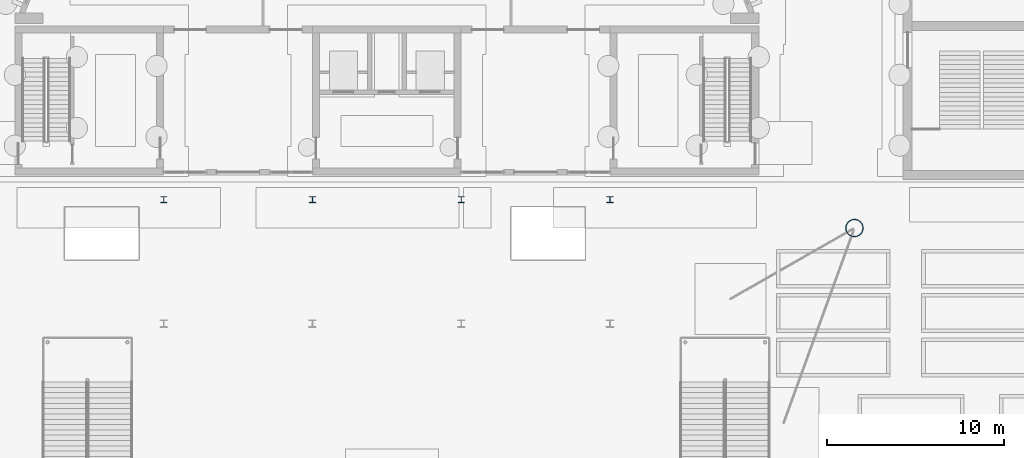
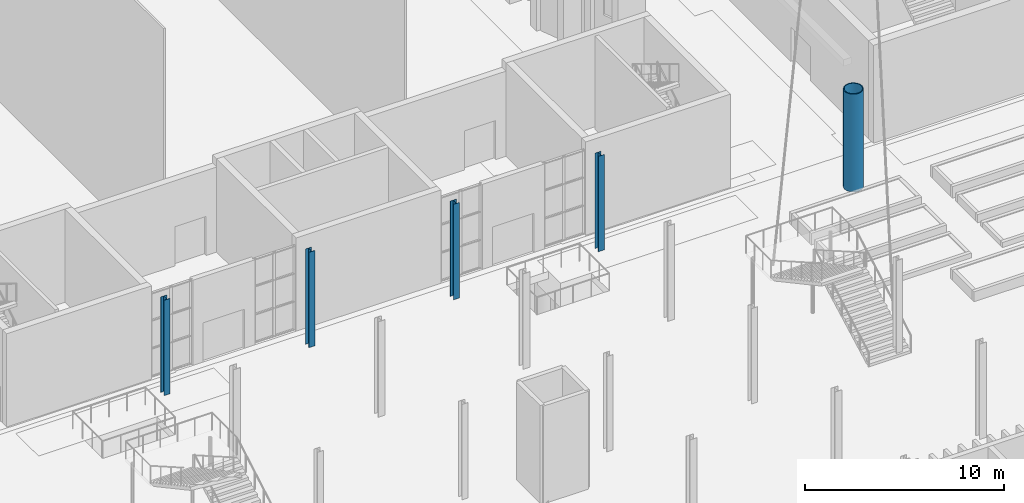
# One storey, part 22 of 108: 5 columns.
"""IFC4 building model written with IfcOpenShell, lengths in metres."""

from ifc_helpers import new_model, si_unit, direction, frame, origin, origin_2d, place, context, subcontext, project, spatial, hollow_circle, i_section, extrude, material, material_profile, profile_set, type_object, element, save


model = new_model("IFC4")

# Units and contexts
model_context = context("Model", 3, precision=1e-05, world=origin(), true_north=direction((0.0, 1.0)))
body_context = subcontext(model_context, "Body", "Model", "MODEL_VIEW")
ifc_project = project(units=[si_unit("LENGTHUNIT", "METRE"), si_unit("AREAUNIT", "SQUARE_METRE"), si_unit("VOLUMEUNIT", "CUBIC_METRE"), si_unit("PLANEANGLEUNIT", "RADIAN"), si_unit("MASSUNIT", "GRAM", prefix="KILO")], contexts=[model_context])

# Site, building, storey
site_placement = place(None, origin())
site = spatial("IfcSite", under=ifc_project, at=site_placement, CompositionType="ELEMENT")
building_placement = place(site_placement, origin())
building = spatial("IfcBuilding", under=site, at=building_placement, Name="Cresset Court Congress Hotel", CompositionType="ELEMENT")
storey_placement = place(building_placement, origin())
storey = spatial("IfcBuildingStorey", under=building, at=storey_placement, Name="L00", CompositionType="ELEMENT", Elevation=0.0)

# Columns
ifc_material_1 = material(Name="Structural steel Q355B", Category="steel")
ifc_material_profile_1 = material_profile(ifc_material_1, hollow_circle(Radius=0.508056640625, WallThickness=0.050048828125, at=origin_2d()), Name="CHS1016x50")
ifc_profile_set_1 = profile_set([ifc_material_profile_1], Name="Structural steel Q355B")
column_type_1 = type_object("IfcColumnType", Name="Mast tube 1016x50", PredefinedType="COLUMN", material=ifc_profile_set_1)
column_placement = place(storey_placement, frame((55.800048828125, 55.800048828125, 0.0), z_axis=(0.0, 0.0, 1.0), x_axis=(1.0, 0.0, 0.0)))
element("IfcColumn", 1, at=column_placement, inside=storey, type_object=column_type_1, Name="Mast M1", PredefinedType="COLUMN", context=body_context, shape_type="SweptSolid", body=[
    extrude(hollow_circle(Radius=0.508056640625, WallThickness=0.050048828125, at=origin_2d()), origin(), (0.0, 0.0, 1.0), 6.0),
])
ifc_material_2 = material(Name="Structural steel Q355B", Category="steel")
ifc_material_profile_2 = material_profile(ifc_material_2, i_section(OverallWidth=0.35009765625, OverallDepth=0.35009765625, WebThickness=0.011962890625, FlangeThickness=0.01904296875, FilletRadius=0.012939453125, at=origin_2d()), Name="HW350x350x12x19")
ifc_profile_set_2 = profile_set([ifc_material_profile_2], Name="Structural steel Q355B")
column_type_2 = type_object("IfcColumnType", Name="Steel column HW350x350x12x19", PredefinedType="COLUMN", material=ifc_profile_set_2)
for number, where, z_axis, x_axis, name in (
    (2, (16.800048828125, 57.39990234375, 0.0), (0.0, 0.0, 1.0), (1.0, 0.0, 0.0), "Deck column B21"),
    (3, (25.199951171875, 57.39990234375, 0.0), (0.0, 0.0, 1.0), (1.0, 0.0, 0.0), "Deck column B22"),
    (4, (33.60009765625, 57.39990234375, 0.0), (0.0, 0.0, 1.0), (1.0, 0.0, 0.0), "Deck column B23"),
    (5, (42.0, 57.39990234375, 0.0), (0.0, 0.0, 1.0), (1.0, 0.0, 0.0), "Deck column B24"),
):
    element("IfcColumn", number, at=place(storey_placement, frame(where, z_axis=z_axis, x_axis=x_axis)), inside=storey, type_object=column_type_2, Name=name, PredefinedType="COLUMN", context=body_context, shape_type="SweptSolid", body=[
        extrude(i_section(OverallWidth=0.35009765625, OverallDepth=0.35009765625, WebThickness=0.011962890625, FlangeThickness=0.01904296875, FilletRadius=0.012939453125, at=origin_2d()), origin(), (0.0, 0.0, 1.0), 5.85009765625),
    ])

save(model, "model.ifc")
